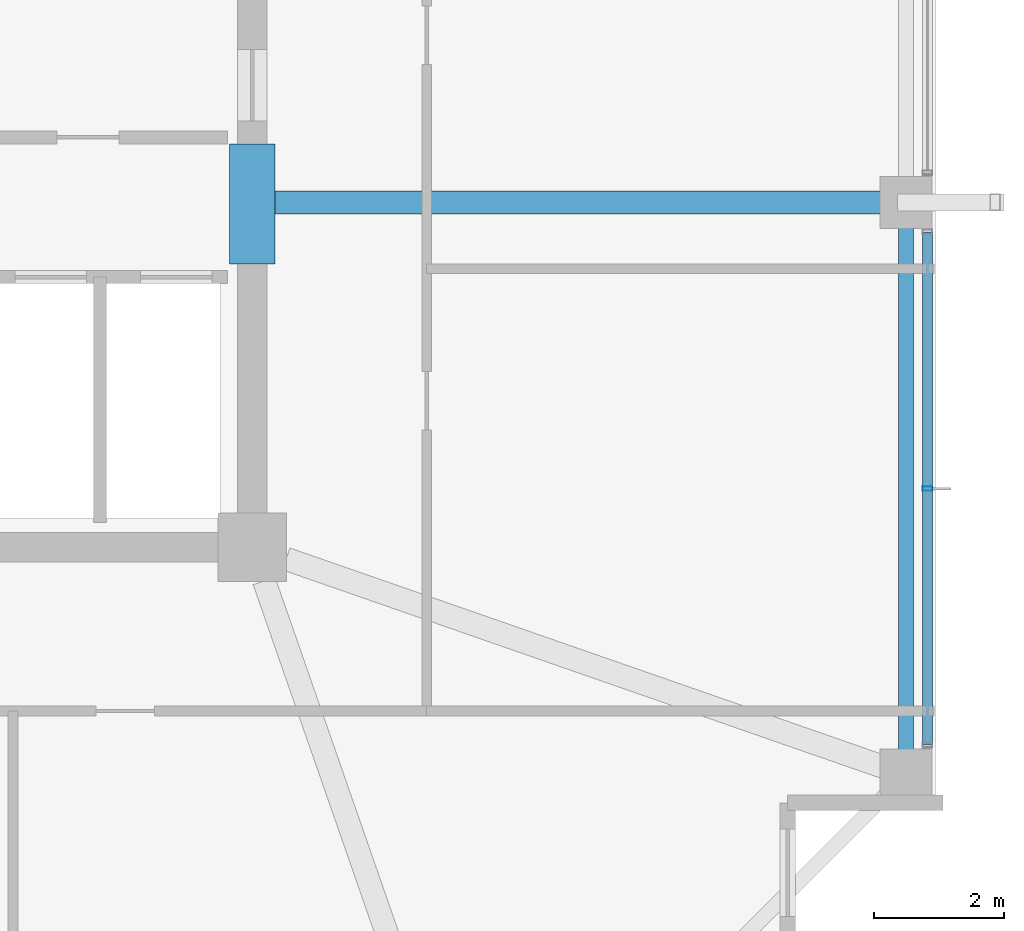
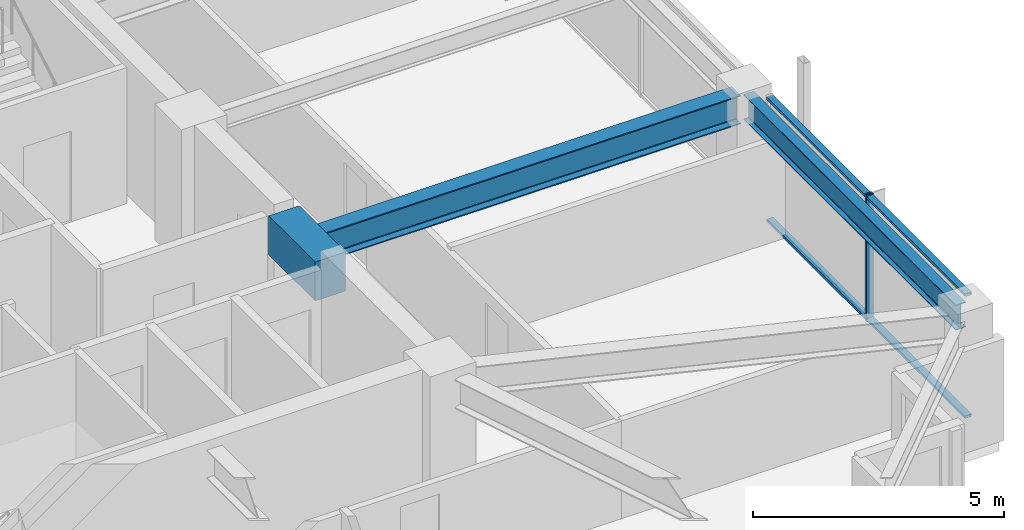
# One storey, part 12 of 33: 3 beams, 3 members, 1 element without a shape of its own.
"""IFC4 building model written with IfcOpenShell, lengths in metres."""

import ifcopenshell
import ifcopenshell.guid

model = None  # the IFC model being written
_history = None  # IfcOwnerHistory: only IFC2X3 demands one
_inside = {}  # id of a spatial element -> (the spatial element, [elements in it])
_under = {}  # id of a project, library or spatial element -> (it, [spatial elements below it])
_declared = {}  # id of a project -> (the project, [libraries it declares])
_typed = {}  # id of a type object -> (the type object, [elements of that type])
_made_of = {}  # id of a material, layer set ... -> (it, [elements and type objects made of it])


def new_model(schema):
    """Start an empty IFC model of exactly this schema.

    Asked for "IFC4X3", IfcOpenShell would pick the latest addendum, in which some entities
    have other attributes; the version numbers below select the first issue.
    IFC2X3 requires an IfcOwnerHistory on every rooted entity: one is made here for all.
    """
    global model, _history
    if schema == "IFC4X3":
        model = ifcopenshell.file(schema_version=(4, 3, 0, 0))
    else:
        model = ifcopenshell.file(schema=schema)
    _inside.clear()
    _under.clear()
    _declared.clear()
    _typed.clear()
    _made_of.clear()
    _history = None
    if model.schema == "IFC2X3":
        org = make("IfcOrganization", Name="unknown")
        user = make(
            "IfcPersonAndOrganization",
            ThePerson=make("IfcPerson", FamilyName="unknown"),
            TheOrganization=org,
        )
        app = make(
            "IfcApplication",
            ApplicationDeveloper=org,
            Version="unknown",
            ApplicationFullName="unknown",
            ApplicationIdentifier="unknown",
        )
        _history = make(
            "IfcOwnerHistory",
            OwningUser=user,
            OwningApplication=app,
            ChangeAction="ADDED",
            CreationDate=0,
        )
    return model


def make(cls, **values):
    """One entity of the class cls with the attributes given. An attribute that is None is left unset."""
    return model.create_entity(
        cls, **{name: value for name, value in values.items() if value is not None}
    )


def rooted(cls, **values):
    """An entity with a GlobalId (a new one), such as an element, a storey or a relation."""
    return make(cls, GlobalId=ifcopenshell.guid.new(), OwnerHistory=_history, **values)


def si_unit(unit_type, name, prefix=None):
    """IfcSIUnit, for example si_unit("LENGTHUNIT", "METRE", prefix="MILLI")."""
    return make("IfcSIUnit", UnitType=unit_type, Prefix=prefix, Name=name)


def assignment(units):
    """IfcUnitAssignment: the units of a project."""
    return None if units is None else make("IfcUnitAssignment", Units=units)


def point(xyz):
    """IfcCartesianPoint."""
    return None if xyz is None else make("IfcCartesianPoint", Coordinates=xyz)


def direction(xyz):
    """IfcDirection."""
    return None if xyz is None else make("IfcDirection", DirectionRatios=xyz)


def frame(location, z_axis=None, x_axis=None):
    """IfcAxis2Placement3D, a coordinate frame: its origin and axes. An axis left out is left unset."""
    return make(
        "IfcAxis2Placement3D",
        Location=point(location),
        Axis=direction(z_axis),
        RefDirection=direction(x_axis),
    )


def frame_2d(location, x_axis=None):
    """IfcAxis2Placement2D, a coordinate frame in the plane: its origin and x axis."""
    return make(
        "IfcAxis2Placement2D", Location=point(location), RefDirection=direction(x_axis)
    )


def origin():
    """The frame at (0, 0, 0) with its axes left unset."""
    return frame((0.0, 0.0, 0.0))


def origin_2d():
    """The frame at (0, 0) in the plane with its x axis left unset."""
    return frame_2d((0.0, 0.0))


def place(relative_to, where):
    """IfcLocalPlacement: puts the frame where relative to a parent placement (None: the world)."""
    return make(
        "IfcLocalPlacement", PlacementRelTo=relative_to, RelativePlacement=where
    )


def context(
    kind, dimensions, precision=None, world=None, true_north=None, identifier=None
):
    """IfcGeometricRepresentationContext, for example the 3D "Model" context."""
    return make(
        "IfcGeometricRepresentationContext",
        ContextIdentifier=identifier,
        ContextType=kind,
        CoordinateSpaceDimension=dimensions,
        Precision=precision,
        WorldCoordinateSystem=world,
        TrueNorth=true_north,
    )


def subcontext(parent, identifier, kind, view, scale=None):
    """IfcGeometricRepresentationSubContext, for example "Body" below "Model"."""
    return make(
        "IfcGeometricRepresentationSubContext",
        ContextIdentifier=identifier,
        ContextType=kind,
        ParentContext=parent,
        TargetScale=scale,
        TargetView=view,
    )


def project(units=None, contexts=None):
    """IfcProject with its units and contexts."""
    return rooted(
        "IfcProject",
        Name="project",
        RepresentationContexts=contexts,
        UnitsInContext=assignment(units),
    )


def spatial(cls, under=None, at=None, **own):
    """A site, building, storey or space (cls), placed at a placement, below another one or the project."""
    s = rooted(cls, ObjectPlacement=at, **own)
    if under is not None:
        _under.setdefault(under.id(), (under, []))[1].append(s)
    return s


def profile(cls, at=None, kind="AREA", **sizes):
    """A parametric profile (cls). Its sizes go by their IFC names, for example OverallWidth=200.0."""
    return make(cls, ProfileType=kind, Position=at, **sizes)


def rectangle(**sizes):
    """IfcRectangleProfileDef."""
    return profile("IfcRectangleProfileDef", **sizes)


def hollow_rectangle(**sizes):
    """IfcRectangleHollowProfileDef."""
    return profile("IfcRectangleHollowProfileDef", **sizes)


def i_section(**sizes):
    """IfcIShapeProfileDef."""
    return profile("IfcIShapeProfileDef", **sizes)


def extrude(swept, where, along, depth):
    """IfcExtrudedAreaSolid: the profile swept, set in the frame where, extruded along a direction by depth."""
    return make(
        "IfcExtrudedAreaSolid",
        SweptArea=swept,
        Position=where,
        ExtrudedDirection=direction(along),
        Depth=depth,
    )


def shape(context_of_items, identifier, shape_type, items):
    """IfcShapeRepresentation: the items that make up one representation, for example the "Body"."""
    return make(
        "IfcShapeRepresentation",
        ContextOfItems=context_of_items,
        RepresentationIdentifier=identifier,
        RepresentationType=shape_type,
        Items=items,
    )


def material(Name=None, Category=None):
    """IfcMaterial."""
    return make("IfcMaterial", Name=Name, Category=Category)


def material_profile(
    of_material, cross_section, Name=None, Category=None, Priority=None
):
    """IfcMaterialProfile: a cross section and its material."""
    return make(
        "IfcMaterialProfile",
        Name=Name,
        Material=of_material,
        Profile=cross_section,
        Priority=Priority,
        Category=Category,
    )


def profile_set(profiles, Name=None, composite=None):
    """IfcMaterialProfileSet."""
    return make(
        "IfcMaterialProfileSet",
        Name=Name,
        MaterialProfiles=profiles,
        CompositeProfile=composite,
    )


def made_of(thing, what):
    """Note that an element or type object is made of a material, layer set ...; save() writes the relation."""
    if what is not None:
        _made_of.setdefault(what.id(), (what, []))[1].append(thing)
    return thing


def type_object(cls, material=None, **own):
    """A type object (cls), such as IfcWallType, which elements share."""
    return made_of(rooted(cls, **own), material)


def element(
    cls,
    number,
    at=None,
    inside=None,
    cuts=None,
    type_object=None,
    material=None,
    context=None,
    identifier="Body",
    shape_type=None,
    held_by="IfcProductDefinitionShape",
    body=None,
    shapes=None,
    **own,
):
    """One element of the class cls, such as IfcWall. Its Tag is "e" and its number.

    at: its placement. inside: the storey or other place that contains it. cuts: it is an
    opening in that element (IfcRelVoidsElement). A single representation is given by context,
    identifier, shape_type and body (its items); several are given by shapes. held_by: the class
    of the entity that holds the representations. save() writes the other relations.
    """
    e = rooted(cls, Tag="e%d" % number, ObjectPlacement=at, **own)
    if body is not None:
        shapes = [shape(context, identifier, shape_type, body)]
    if shapes is not None:
        e.Representation = make(held_by, Representations=shapes)
    if inside is not None:
        _inside.setdefault(inside.id(), (inside, []))[1].append(e)
    if cuts is not None:
        rooted(
            "IfcRelVoidsElement", RelatingBuildingElement=cuts, RelatedOpeningElement=e
        )
    if type_object is not None:
        _typed.setdefault(type_object.id(), (type_object, []))[1].append(e)
    return made_of(e, material)


def aggregate(whole, parts):
    """IfcRelAggregates: a whole, such as a stair, and the parts it consists of."""
    return rooted("IfcRelAggregates", RelatingObject=whole, RelatedObjects=parts)


def save(model, path):
    """Write the relations noted so far, then the file.

    IfcRelAggregates (storeys below a building ...), IfcRelContainedInSpatialStructure (elements
    in a storey), IfcRelDefinesByType, IfcRelAssociatesMaterial and IfcRelDeclares: one each for
    every whole, place, type object, material and project.
    """
    for whole, parts in _under.values():
        aggregate(whole, parts)
    for where, things in _inside.values():
        rooted(
            "IfcRelContainedInSpatialStructure",
            RelatedElements=things,
            RelatingStructure=where,
        )
    for kind, things in _typed.values():
        rooted("IfcRelDefinesByType", RelatedObjects=things, RelatingType=kind)
    for what, things in _made_of.values():
        rooted("IfcRelAssociatesMaterial", RelatedObjects=things, RelatingMaterial=what)
    for by, libraries in _declared.values():
        rooted("IfcRelDeclares", RelatingContext=by, RelatedDefinitions=libraries)
    model.write(path)


model = new_model("IFC4")

# Units and contexts
model_context = context("Model", 3, precision=1e-05, world=origin(), true_north=direction((0.0, 1.0)))
body_context = subcontext(model_context, "Body", "Model", "MODEL_VIEW")
ifc_project = project(units=[si_unit("LENGTHUNIT", "METRE"), si_unit("AREAUNIT", "SQUARE_METRE"), si_unit("VOLUMEUNIT", "CUBIC_METRE"), si_unit("PLANEANGLEUNIT", "RADIAN"), si_unit("MASSUNIT", "GRAM", prefix="KILO")], contexts=[model_context])

# Site, building, storey
site_placement = place(None, origin())
site = spatial("IfcSite", under=ifc_project, at=site_placement, CompositionType="ELEMENT")
building_placement = place(site_placement, origin())
building = spatial("IfcBuilding", under=site, at=building_placement, Name="Kolvaren Belvedere", CompositionType="ELEMENT")
storey_placement = place(building_placement, frame((0.0, 0.0, 209.699951171875)))
storey = spatial("IfcBuildingStorey", under=building, at=storey_placement, Name="L61", CompositionType="ELEMENT", Elevation=209.699951171875)

# Beams
ifc_material_1 = material(Name="Structural steel ASTM A992 Grade 50", Category="steel")
ifc_material_profile_1 = material_profile(ifc_material_1, i_section(OverallWidth=0.35498046875, OverallDepth=0.696044921875, WebThickness=0.015380859375, FlangeThickness=0.02490234375, FilletRadius=0.02197265625, at=origin_2d()), Name="W27X146")
ifc_profile_set_1 = profile_set([ifc_material_profile_1], Name="Structural steel ASTM A992 Grade 50")
beam_type_1 = type_object("IfcBeamType", Name="BM-GIRD-W27X146", PredefinedType="BEAM", material=ifc_profile_set_1)
beam_1_placement = place(storey_placement, frame((10.125, -4.60009765625, 2.73193359375), z_axis=(1.0, 0.0, 0.0), x_axis=(0.0, 1.0, 0.0)))
element("IfcBeam", 1, at=beam_1_placement, inside=storey, type_object=beam_type_1, Name="L61 East Radial Girder M", PredefinedType="BEAM", context=body_context, shape_type="SweptSolid", body=[
    extrude(i_section(OverallWidth=0.35498046875, OverallDepth=0.696044921875, WebThickness=0.015380859375, FlangeThickness=0.02490234375, FilletRadius=0.02197265625, at=origin_2d()), origin(), (0.0, 0.0, 1.0), 9.64501953125),
])
ifc_material_2 = material(Name="Concrete C60/75", Category="concrete")
ifc_material_profile_2 = material_profile(ifc_material_2, rectangle(XDim=0.699951171875, YDim=0.949951171875, at=origin_2d()), Name="RC 700X950")
ifc_profile_set_2 = profile_set([ifc_material_profile_2], Name="Concrete C60/75")
beam_type_2 = type_object("IfcBeamType", Name="BM-LINT-950", PredefinedType="LINTEL", material=ifc_profile_set_2)
beam_2_placement = place(storey_placement, frame((9.89990234375, -5.550048828125, 2.60498046875), z_axis=(0.0, 1.0, 0.0), x_axis=(-1.0, 0.0, 0.0)))
element("IfcBeam", 2, at=beam_2_placement, inside=storey, type_object=beam_type_2, Name="L61 East Core Coupling Lintel", PredefinedType="LINTEL", context=body_context, shape_type="SweptSolid", body=[
    extrude(rectangle(XDim=0.699951171875, YDim=0.949951171875, at=origin_2d()), origin(), (0.0, 0.0, 1.0), 1.85009765625),
])
ifc_material_3 = material(Name="Structural steel ASTM A992 Grade 50", Category="steel")
ifc_material_profile_3 = material_profile(ifc_material_3, i_section(OverallWidth=0.22900390625, OverallDepth=0.612060546875, WebThickness=0.011962890625, FlangeThickness=0.01953125, FilletRadius=0.01806640625, at=origin_2d()), Name="W24X84")
ifc_profile_set_3 = profile_set([ifc_material_profile_3], Name="Structural steel ASTM A992 Grade 50")
beam_type_3 = type_object("IfcBeamType", Name="BM-SPAN-W24X84", PredefinedType="SPANDREL", material=ifc_profile_set_3)
beam_3_placement = place(storey_placement, frame((19.949951171875, -13.219970703125, 2.774169921875), z_axis=(0.0, 1.0, 0.0), x_axis=(-1.0, 0.0, 0.0)))
element("IfcBeam", 3, at=beam_3_placement, inside=storey, type_object=beam_type_3, Name="L61 Perimeter Spandrel E1-E2", PredefinedType="SPANDREL", context=body_context, shape_type="SweptSolid", body=[
    extrude(i_section(OverallWidth=0.22900390625, OverallDepth=0.612060546875, WebThickness=0.011962890625, FlangeThickness=0.01953125, FilletRadius=0.01806640625, at=origin_2d()), origin(), (0.0, 0.0, 1.0), 8.43994140625),
])

# Curtain wall, members
ifc_material_4 = material(Name="Anodised pale-metal aluminium AA 6063-T6", Category="aluminium")
curtain_wall_type = type_object("IfcCurtainWallType", Name="CW-Z5-HIGH", PredefinedType="NOTDEFINED", material=ifc_material_4)
curtain_wall_placement = place(storey_placement, origin())
curtain_wall = element("IfcCurtainWall", 4, at=curtain_wall_placement, inside=storey, type_object=curtain_wall_type, Name="L61 Unitised Curtain Wall FCW-L61-E-B3", PredefinedType="NOTDEFINED")
ifc_material_5 = material(Name="Anodised pale-metal aluminium AA 6063-T6", Category="aluminium")
ifc_material_profile_4 = material_profile(ifc_material_5, hollow_rectangle(XDim=0.070068359375, YDim=0.14990234375, WallThickness=0.004150390625, at=origin_2d()), Name="ALU-MUL-150X70")
ifc_profile_set_4 = profile_set([ifc_material_profile_4], Name="Anodised pale-metal aluminium AA 6063-T6")
member_type_1 = type_object("IfcMemberType", Name="CW-MUL-150", PredefinedType="MULLION", material=ifc_profile_set_4)
member_1_placement = place(storey_placement, frame((20.280029296875, -9.0, 0.0), z_axis=(0.0, 0.0, 1.0), x_axis=(0.0, 1.0, 0.0)))
member_1 = element("IfcMember", 5, at=member_1_placement, type_object=member_type_1, Name="FCW-L61-E-B3 Unitised Mullion 2", PredefinedType="MULLION", context=body_context, shape_type="SweptSolid", body=[
    extrude(hollow_rectangle(XDim=0.070068359375, YDim=0.14990234375, WallThickness=0.004150390625, at=origin_2d()), origin(), (0.0, 0.0, 1.0), 3.080078125),
])
ifc_material_6 = material(Name="Anodised pale-metal aluminium AA 6063-T6", Category="aluminium")
ifc_material_profile_5 = material_profile(ifc_material_6, hollow_rectangle(XDim=0.06494140625, YDim=0.14990234375, WallThickness=0.00390625, at=origin_2d()), Name="ALU-TRN-150X65")
ifc_profile_set_5 = profile_set([ifc_material_profile_5], Name="Anodised pale-metal aluminium AA 6063-T6")
member_type_2 = type_object("IfcMemberType", Name="CW-TRN-150", PredefinedType="USERDEFINED", material=ifc_profile_set_5)
member_2_placement = place(storey_placement, frame((20.280029296875, -5.054931640625, 0.06005859375), z_axis=(0.0, -1.0, 0.0), x_axis=(0.0, 0.0, 1.0)))
member_2 = element("IfcMember", 6, at=member_2_placement, type_object=member_type_2, Name="FCW-L61-E-B3 Sill Transom", ObjectType="TRANSOM", PredefinedType="USERDEFINED", context=body_context, shape_type="SweptSolid", body=[
    extrude(hollow_rectangle(XDim=0.06494140625, YDim=0.14990234375, WallThickness=0.00390625, at=origin_2d()), origin(), (0.0, 0.0, 1.0), 7.89013671875),
])
member_3_placement = place(storey_placement, frame((20.280029296875, -5.054931640625, 3.02001953125), z_axis=(0.0, -1.0, 0.0), x_axis=(0.0, 0.0, 1.0)))
member_3 = element("IfcMember", 7, at=member_3_placement, type_object=member_type_2, Name="FCW-L61-E-B3 Head Transom", ObjectType="TRANSOM", PredefinedType="USERDEFINED", context=body_context, shape_type="SweptSolid", body=[
    extrude(hollow_rectangle(XDim=0.06494140625, YDim=0.14990234375, WallThickness=0.00390625, at=origin_2d()), origin(), (0.0, 0.0, 1.0), 7.89013671875),
])
aggregate(curtain_wall, [member_1, member_2, member_3])

save(model, "model.ifc")
